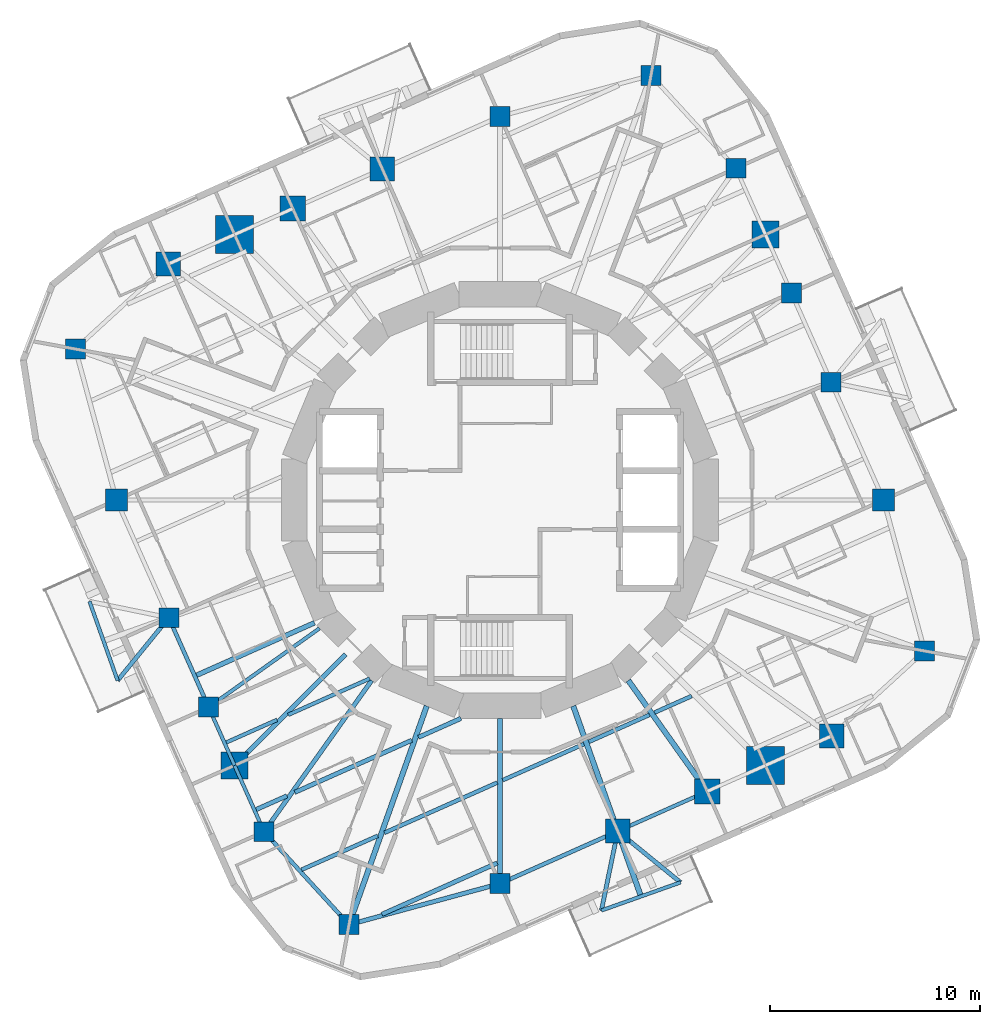
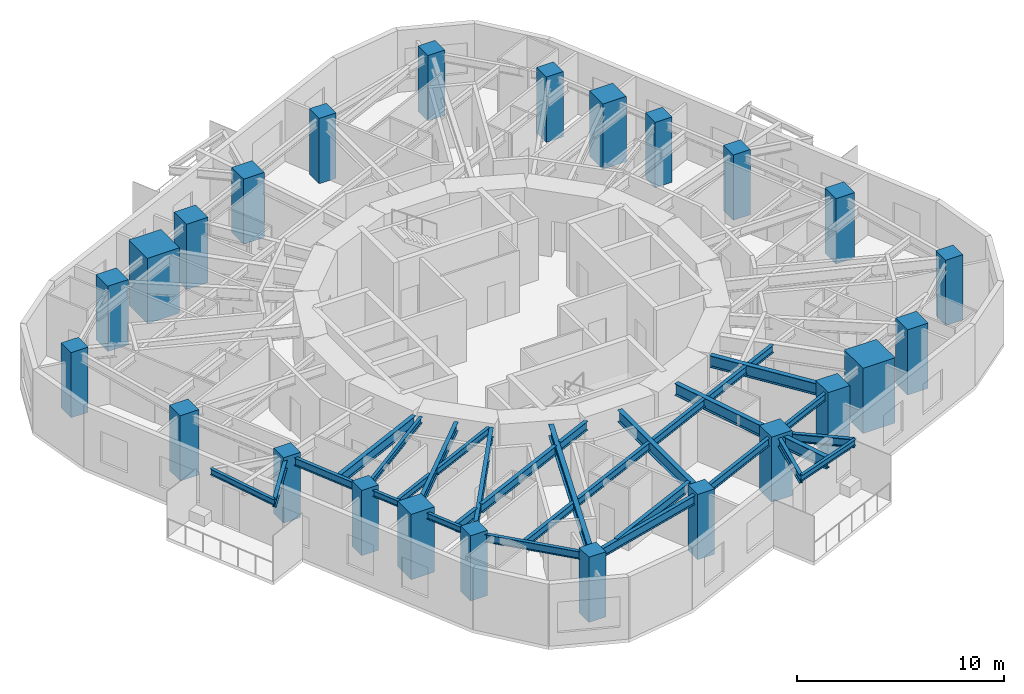
# One storey, part 1 of 12: 31 beams, 24 columns.
"""IFC4 building model written with IfcOpenShell, lengths in metres."""

from ifc_helpers import new_model, si_unit, direction, frame, origin, origin_2d, place, context, subcontext, project, spatial, rectangle, i_section, extrude, material, material_profile, profile_set, type_object, element, save


model = new_model("IFC4")

# Units and contexts
model_context = context("Model", 3, precision=1e-05, world=origin(), true_north=direction((0.0, 1.0)))
body_context = subcontext(model_context, "Body", "Model", "MODEL_VIEW")
ifc_project = project(units=[si_unit("LENGTHUNIT", "METRE"), si_unit("AREAUNIT", "SQUARE_METRE"), si_unit("VOLUMEUNIT", "CUBIC_METRE"), si_unit("PLANEANGLEUNIT", "RADIAN"), si_unit("MASSUNIT", "GRAM", prefix="KILO")], contexts=[model_context])

# Site, building, storey
site_placement = place(None, origin())
site = spatial("IfcSite", under=ifc_project, at=site_placement, CompositionType="ELEMENT")
building_placement = place(site_placement, origin())
building = spatial("IfcBuilding", under=site, at=building_placement, Name="Nakasero Lantern House", CompositionType="ELEMENT")
storey_placement = place(building_placement, frame((0.0, 0.0, 209.39990234375)))
storey = spatial("IfcBuildingStorey", under=building, at=storey_placement, Name="L51", CompositionType="ELEMENT", Elevation=209.39990234375)

# Columns
ifc_material_1 = material(Name="Concrete C45/55", Category="concrete")
ifc_material_profile_1 = material_profile(ifc_material_1, rectangle(XDim=1.300048828125, YDim=1.300048828125, at=origin_2d()), Name="RC 1300x1300")
ifc_profile_set_1 = profile_set([ifc_material_profile_1], Name="Concrete C45/55")
column_type_1 = type_object("IfcColumnType", Name="Mega column RC 1300x1300 C45/55", PredefinedType="COLUMN", material=ifc_profile_set_1)
for number, where, z_axis, x_axis, name in (
    (1, (12.64892578125, 12.64892578125, 0.0), (0.0, 0.0, 1.0), (1.0, 0.0, 0.0), "Column B5-C06 L51"),
    (2, (-12.64892578125, -12.64892578125, 0.0), (0.0, 0.0, 1.0), (1.0, 0.0, 0.0), "Column B5-C18 L51"),
):
    element("IfcColumn", number, at=place(storey_placement, frame(where, z_axis=z_axis, x_axis=x_axis)), inside=storey, type_object=column_type_1, Name=name, PredefinedType="COLUMN", context=body_context, shape_type="SweptSolid", body=[
        extrude(rectangle(XDim=1.300048828125, YDim=1.300048828125, at=origin_2d()), origin(), (0.0, 0.0, 1.0), 3.85009765625),
    ])
ifc_material_2 = material(Name="Concrete C45/55", Category="concrete")
ifc_material_profile_2 = material_profile(ifc_material_2, rectangle(XDim=1.800048828125, YDim=1.800048828125, at=origin_2d()), Name="RC 1800x1800")
ifc_profile_set_2 = profile_set([ifc_material_profile_2], Name="Concrete C45/55")
column_type_2 = type_object("IfcColumnType", Name="Mega column RC 1800x1800 C45/55", PredefinedType="COLUMN", material=ifc_profile_set_2)
for number, where, z_axis, x_axis, name in (
    (3, (-12.64892578125, 12.64892578125, 0.0), (0.0, 0.0, 1.0), (1.0, 0.0, 0.0), "Column B5-C12 L51"),
    (4, (12.64892578125, -12.64892578125, 0.0), (0.0, 0.0, 1.0), (1.0, 0.0, 0.0), "Column B5-C24 L51"),
):
    element("IfcColumn", number, at=place(storey_placement, frame(where, z_axis=z_axis, x_axis=x_axis)), inside=storey, type_object=column_type_2, Name=name, PredefinedType="COLUMN", context=body_context, shape_type="SweptSolid", body=[
        extrude(rectangle(XDim=1.800048828125, YDim=1.800048828125, at=origin_2d()), origin(), (0.0, 0.0, 1.0), 3.85009765625),
    ])
ifc_material_3 = material(Name="Concrete C45/55", Category="concrete")
ifc_material_profile_3 = material_profile(ifc_material_3, rectangle(XDim=1.050048828125, YDim=1.050048828125, at=origin_2d()), Name="RC 1050x1050")
ifc_profile_set_3 = profile_set([ifc_material_profile_3], Name="Concrete C45/55")
column_type_3 = type_object("IfcColumnType", Name="Ring column RC 1050x1050 C45/55", PredefinedType="COLUMN", material=ifc_profile_set_3)
for number, where, z_axis, x_axis, name in (
    (5, (18.280517578125, 0.0, 0.0), (0.0, 0.0, 1.0), (1.0, 0.0, 0.0), "Column B5-C03 L51"),
    (6, (-18.280517578125, 0.0, 0.0), (0.0, 0.0, 1.0), (1.0, 0.0, 0.0), "Column B5-C15 L51"),
):
    element("IfcColumn", number, at=place(storey_placement, frame(where, z_axis=z_axis, x_axis=x_axis)), inside=storey, type_object=column_type_3, Name=name, PredefinedType="COLUMN", context=body_context, shape_type="SweptSolid", body=[
        extrude(rectangle(XDim=1.050048828125, YDim=1.050048828125, at=origin_2d()), origin(), (0.0, 0.0, 1.0), 3.85009765625),
    ])
ifc_material_4 = material(Name="Concrete C45/55", Category="concrete")
ifc_material_profile_4 = material_profile(ifc_material_4, rectangle(XDim=1.14990234375, YDim=1.14990234375, at=origin_2d()), Name="RC 1150x1150")
ifc_profile_set_4 = profile_set([ifc_material_profile_4], Name="Concrete C45/55")
column_type_4 = type_object("IfcColumnType", Name="Ring column RC 1150x1150 C45/55", PredefinedType="COLUMN", material=ifc_profile_set_4)
for number, where, z_axis, x_axis, name in (
    (7, (15.808837890625, -11.241943359375, 0.0), (0.0, 0.0, 1.0), (1.0, 0.0, 0.0), "Column B5-C01 L51"),
    (8, (-5.611328125, 15.781982421875, 0.0), (0.0, 0.0, 1.0), (1.0, 0.0, 0.0), "Column B5-C10 L51"),
    (9, (-15.808837890625, 11.241943359375, 0.0), (0.0, 0.0, 1.0), (1.0, 0.0, 0.0), "Column B5-C13 L51"),
    (10, (5.611328125, -15.781982421875, 0.0), (0.0, 0.0, 1.0), (1.0, 0.0, 0.0), "Column B5-C22 L51"),
):
    element("IfcColumn", number, at=place(storey_placement, frame(where, z_axis=z_axis, x_axis=x_axis)), inside=storey, type_object=column_type_4, Name=name, PredefinedType="COLUMN", context=body_context, shape_type="SweptSolid", body=[
        extrude(rectangle(XDim=1.14990234375, YDim=1.14990234375, at=origin_2d()), origin(), (0.0, 0.0, 1.0), 3.85009765625),
    ])
ifc_material_5 = material(Name="Concrete C45/55", Category="concrete")
ifc_material_profile_5 = material_profile(ifc_material_5, rectangle(XDim=1.199951171875, YDim=1.199951171875, at=origin_2d()), Name="RC 1200x1200")
ifc_profile_set_5 = profile_set([ifc_material_profile_5], Name="Concrete C45/55")
column_type_5 = type_object("IfcColumnType", Name="Ring column RC 1200x1200 C45/55", PredefinedType="COLUMN", material=ifc_profile_set_5)
for number, where, z_axis, x_axis, name in (
    (11, (-9.87353515625, 13.884521484375, 0.0), (0.0, 0.0, 1.0), (1.0, 0.0, 0.0), "Column B5-C11 L51"),
    (12, (9.87353515625, -13.884521484375, 0.0), (0.0, 0.0, 1.0), (1.0, 0.0, 0.0), "Column B5-C23 L51"),
):
    element("IfcColumn", number, at=place(storey_placement, frame(where, z_axis=z_axis, x_axis=x_axis)), inside=storey, type_object=column_type_5, Name=name, PredefinedType="COLUMN", context=body_context, shape_type="SweptSolid", body=[
        extrude(rectangle(XDim=1.199951171875, YDim=1.199951171875, at=origin_2d()), origin(), (0.0, 0.0, 1.0), 3.85009765625),
    ])
ifc_material_6 = material(Name="Concrete C45/55", Category="concrete")
ifc_material_profile_6 = material_profile(ifc_material_6, rectangle(XDim=0.949951171875, YDim=0.949951171875, at=origin_2d()), Name="RC 950x950")
ifc_profile_set_6 = profile_set([ifc_material_profile_6], Name="Concrete C45/55")
column_type_6 = type_object("IfcColumnType", Name="Ring column RC 950x950 C45/55", PredefinedType="COLUMN", material=ifc_profile_set_6)
for number, where, z_axis, x_axis, name in (
    (13, (20.2353515625, -7.19482421875, 0.0), (0.0, 0.0, 1.0), (1.0, 0.0, 0.0), "Column B5-C02 L51"),
    (14, (15.781982421875, 5.611328125, 0.0), (0.0, 0.0, 1.0), (1.0, 0.0, 0.0), "Column B5-C04 L51"),
    (15, (13.884521484375, 9.87353515625, 0.0), (0.0, 0.0, 1.0), (1.0, 0.0, 0.0), "Column B5-C05 L51"),
    (16, (11.241943359375, 15.808837890625, 0.0), (0.0, 0.0, 1.0), (1.0, 0.0, 0.0), "Column B5-C07 L51"),
    (17, (7.19482421875, 20.2353515625, 0.0), (0.0, 0.0, 1.0), (1.0, 0.0, 0.0), "Column B5-C08 L51"),
    (18, (0.0, 18.280517578125, 0.0), (0.0, 0.0, 1.0), (1.0, 0.0, 0.0), "Column B5-C09 L51"),
    (19, (-20.2353515625, 7.19482421875, 0.0), (0.0, 0.0, 1.0), (1.0, 0.0, 0.0), "Column B5-C14 L51"),
    (20, (-15.781982421875, -5.611328125, 0.0), (0.0, 0.0, 1.0), (1.0, 0.0, 0.0), "Column B5-C16 L51"),
    (21, (-13.884521484375, -9.87353515625, 0.0), (0.0, 0.0, 1.0), (1.0, 0.0, 0.0), "Column B5-C17 L51"),
    (22, (-11.241943359375, -15.808837890625, 0.0), (0.0, 0.0, 1.0), (1.0, 0.0, 0.0), "Column B5-C19 L51"),
    (23, (-7.19482421875, -20.2353515625, 0.0), (0.0, 0.0, 1.0), (1.0, 0.0, 0.0), "Column B5-C20 L51"),
    (24, (0.0, -18.280517578125, 0.0), (0.0, 0.0, 1.0), (1.0, 0.0, 0.0), "Column B5-C21 L51"),
):
    element("IfcColumn", number, at=place(storey_placement, frame(where, z_axis=z_axis, x_axis=x_axis)), inside=storey, type_object=column_type_6, Name=name, PredefinedType="COLUMN", context=body_context, shape_type="SweptSolid", body=[
        extrude(rectangle(XDim=0.949951171875, YDim=0.949951171875, at=origin_2d()), origin(), (0.0, 0.0, 1.0), 3.85009765625),
    ])

# Beams
ifc_material_7 = material(Name="Steel S355", Category="steel")
ifc_material_profile_7 = material_profile(ifc_material_7, i_section(OverallWidth=0.199462890625, OverallDepth=0.491943359375, WebThickness=0.01806640625, FlangeThickness=0.031982421875, FilletRadius=0.01025390625, at=origin_2d()), Name="UB 457x191x161")
ifc_profile_set_7 = profile_set([ifc_material_profile_7], Name="Steel S355")
beam_type_1 = type_object("IfcBeamType", Name="Balcony splay beam UB 457x191x161", PredefinedType="BEAM", material=ifc_profile_set_7)
for number, where, z_axis, x_axis, name in (
    (25, (-15.781982421875, -5.611328125, 3.404052734375), (-0.632165712937, -0.774833215206, 0.0), (0.774833215206, -0.632165712937, 0.0), "Balcony splay beam L52 B5-C16A"),
    (26, (5.611328125, -15.781982421875, 3.404052734375), (0.774833215206, -0.632165712937, 0.0), (0.632165712937, 0.774833215206, 0.0), "Balcony splay beam L52 B5-C22A"),
):
    element("IfcBeam", number, at=place(storey_placement, frame(where, z_axis=z_axis, x_axis=x_axis)), inside=storey, type_object=beam_type_1, Name=name, PredefinedType="BEAM", context=body_context, shape_type="SweptSolid", body=[
        extrude(i_section(OverallWidth=0.199462890625, OverallDepth=0.491943359375, WebThickness=0.01806640625, FlangeThickness=0.031982421875, FilletRadius=0.01025390625, at=origin_2d()), origin(), (0.0, 0.0, 1.0), 3.85888671875),
    ])
beam_1_placement = place(storey_placement, frame((5.611328125, -15.781982421875, 3.404052734375), z_axis=(-0.201831438605, -0.979420272605, 0.0), x_axis=(0.979420272605, -0.201831438605, 0.0)))
element("IfcBeam", 27, at=beam_1_placement, inside=storey, type_object=beam_type_1, Name="Balcony splay beam L52 B5-C22B", PredefinedType="BEAM", context=body_context, shape_type="SweptSolid", body=[
    extrude(i_section(OverallWidth=0.199462890625, OverallDepth=0.491943359375, WebThickness=0.01806640625, FlangeThickness=0.031982421875, FilletRadius=0.01025390625, at=origin_2d()), origin(), (0.0, 0.0, 1.0), 3.858642578125),
])
ifc_material_8 = material(Name="Steel S355", Category="steel")
ifc_material_profile_8 = material_profile(ifc_material_8, i_section(OverallWidth=0.17138671875, OverallDepth=0.35498046875, WebThickness=0.00732421875, FlangeThickness=0.011474609375, FilletRadius=0.01025390625, at=origin_2d()), Name="UB 356x171x51")
ifc_profile_set_8 = profile_set([ifc_material_profile_8], Name="Steel S355")
beam_type_2 = type_object("IfcBeamType", Name="Balcony tie beam UB 356x171x51", PredefinedType="BEAM", material=ifc_profile_set_8)
for number, where, z_axis, x_axis, name in (
    (28, (-18.221435546875, -8.601318359375, 3.47265625), (-0.334971134582, 0.94222839004, 0.0), (-0.94222839004, -0.334971134582, 0.0), "Balcony tie beam L52 B5-C16"),
    (29, (8.601318359375, -18.221435546875, 3.47265625), (-0.94222839004, -0.334971134582, 0.0), (0.334971134582, -0.94222839004, 0.0), "Balcony tie beam L52 B5-C22"),
):
    element("IfcBeam", number, at=place(storey_placement, frame(where, z_axis=z_axis, x_axis=x_axis)), inside=storey, type_object=beam_type_2, Name=name, PredefinedType="BEAM", context=body_context, shape_type="SweptSolid", body=[
        extrude(i_section(OverallWidth=0.17138671875, OverallDepth=0.35498046875, WebThickness=0.00732421875, FlangeThickness=0.011474609375, FilletRadius=0.01025390625, at=origin_2d()), origin(), (0.0, 0.0, 1.0), 4.0),
    ])
ifc_material_9 = material(Name="Steel S355", Category="steel")
ifc_material_profile_9 = material_profile(ifc_material_9, i_section(OverallWidth=0.177978515625, OverallDepth=0.406494140625, WebThickness=0.0078125, FlangeThickness=0.0126953125, FilletRadius=0.01025390625, at=origin_2d()), Name="UB 406x178x60")
ifc_profile_set_9 = profile_set([ifc_material_profile_9], Name="Steel S355")
beam_type_3 = type_object("IfcBeamType", Name="Infill beam UB 406x178x60", PredefinedType="JOIST", material=ifc_profile_set_9)
beam_2_placement = place(storey_placement, frame((-13.04248046875, -11.5537109375, 3.44677734375), z_axis=(0.913529602849, 0.406772251658, 0.0), x_axis=(-0.406772251658, 0.913529602849, 0.0)))
element("IfcBeam", 30, at=beam_2_placement, inside=storey, type_object=beam_type_3, Name="Infill beam L52 06.1", PredefinedType="JOIST", context=body_context, shape_type="SweptSolid", body=[
    extrude(i_section(OverallWidth=0.177978515625, OverallDepth=0.406494140625, WebThickness=0.0078125, FlangeThickness=0.0126953125, FilletRadius=0.01025390625, at=origin_2d()), origin(), (0.0, 0.0, 1.0), 2.64453125),
])
beam_3_placement = place(storey_placement, frame((-10.09130859375, -10.23974609375, 3.44677734375), z_axis=(0.91354134882, 0.406745871517, 0.0), x_axis=(-0.406745871517, 0.91354134882, 0.0)))
element("IfcBeam", 31, at=beam_3_placement, inside=storey, type_object=beam_type_3, Name="Infill beam L52 06.2", PredefinedType="JOIST", context=body_context, shape_type="SweptSolid", body=[
    extrude(i_section(OverallWidth=0.177978515625, OverallDepth=0.406494140625, WebThickness=0.0078125, FlangeThickness=0.0126953125, FilletRadius=0.01025390625, at=origin_2d()), origin(), (0.0, 0.0, 1.0), 4.250732421875),
])
ifc_material_10 = material(Name="Steel S355", Category="steel")
ifc_material_profile_10 = material_profile(ifc_material_10, i_section(OverallWidth=0.18994140625, OverallDepth=0.453369140625, WebThickness=0.008544921875, FlangeThickness=0.0126953125, FilletRadius=0.01025390625, at=origin_2d()), Name="UB 457x191x67")
ifc_profile_set_10 = profile_set([ifc_material_profile_10], Name="Steel S355")
beam_type_4 = type_object("IfcBeamType", Name="Infill beam UB 457x191x67", PredefinedType="JOIST", material=ifc_profile_set_10)
beam_4_placement = place(storey_placement, frame((-9.457275390625, -17.619873046875, 3.42333984375), z_axis=(0.91354552237, 0.406736497695, 0.0), x_axis=(-0.406736497695, 0.91354552237, 0.0)))
element("IfcBeam", 32, at=beam_4_placement, inside=storey, type_object=beam_type_4, Name="Infill beam L52 04.1", PredefinedType="JOIST", context=body_context, shape_type="SweptSolid", body=[
    extrude(i_section(OverallWidth=0.18994140625, OverallDepth=0.453369140625, WebThickness=0.008544921875, FlangeThickness=0.0126953125, FilletRadius=0.01025390625, at=origin_2d()), origin(), (0.0, 0.0, 1.0), 3.9765625),
])
beam_5_placement = place(storey_placement, frame((-5.50439453125, -15.860107421875, 3.42333984375), z_axis=(0.913542777248, 0.406742663287, 0.0), x_axis=(-0.406742663287, 0.913542777248, 0.0)))
element("IfcBeam", 33, at=beam_5_placement, inside=storey, type_object=beam_type_4, Name="Infill beam L52 04.2", PredefinedType="JOIST", context=body_context, shape_type="SweptSolid", body=[
    extrude(i_section(OverallWidth=0.18994140625, OverallDepth=0.453369140625, WebThickness=0.008544921875, FlangeThickness=0.0126953125, FilletRadius=0.01025390625, at=origin_2d()), origin(), (0.0, 0.0, 1.0), 5.88525390625),
])
beam_6_placement = place(storey_placement, frame((0.1279296875, -13.352294921875, 3.42333984375), z_axis=(0.913557147021, 0.406710387287, 0.0), x_axis=(-0.406710387287, 0.913557147021, 0.0)))
element("IfcBeam", 34, at=beam_6_placement, inside=storey, type_object=beam_type_4, Name="Infill beam L52 04.3", PredefinedType="JOIST", context=body_context, shape_type="SweptSolid", body=[
    extrude(i_section(OverallWidth=0.18994140625, OverallDepth=0.453369140625, WebThickness=0.008544921875, FlangeThickness=0.0126953125, FilletRadius=0.01025390625, at=origin_2d()), origin(), (0.0, 0.0, 1.0), 4.2373046875),
])
beam_7_placement = place(storey_placement, frame((4.2333984375, -11.5244140625, 3.42333984375), z_axis=(0.913550388535, 0.406725567929, 0.0), x_axis=(-0.406725567929, 0.913550388535, 0.0)))
element("IfcBeam", 35, at=beam_7_placement, inside=storey, type_object=beam_type_4, Name="Infill beam L52 04.4", PredefinedType="JOIST", context=body_context, shape_type="SweptSolid", body=[
    extrude(i_section(OverallWidth=0.18994140625, OverallDepth=0.453369140625, WebThickness=0.008544921875, FlangeThickness=0.0126953125, FilletRadius=0.01025390625, at=origin_2d()), origin(), (0.0, 0.0, 1.0), 3.163330078125),
])
beam_8_placement = place(storey_placement, frame((7.361572265625, -10.131591796875, 3.42333984375), z_axis=(0.913587966127, 0.406641154026, 0.0), x_axis=(-0.406641154026, 0.913587966127, 0.0)))
element("IfcBeam", 36, at=beam_8_placement, inside=storey, type_object=beam_type_4, Name="Infill beam L52 04.5", PredefinedType="JOIST", context=body_context, shape_type="SweptSolid", body=[
    extrude(i_section(OverallWidth=0.18994140625, OverallDepth=0.453369140625, WebThickness=0.008544921875, FlangeThickness=0.0126953125, FilletRadius=0.01025390625, at=origin_2d()), origin(), (0.0, 0.0, 1.0), 1.9375),
])
ifc_material_11 = material(Name="Steel S355", Category="steel")
ifc_material_profile_11 = material_profile(ifc_material_11, i_section(OverallWidth=0.2099609375, OverallDepth=0.53662109375, WebThickness=0.0107421875, FlangeThickness=0.017333984375, FilletRadius=0.0126953125, at=origin_2d()), Name="UB 533x210x101")
ifc_profile_set_11 = profile_set([ifc_material_profile_11], Name="Steel S355")
beam_type_5 = type_object("IfcBeamType", Name="Infill beam UB 533x210x101", PredefinedType="JOIST", material=ifc_profile_set_11)
beam_9_placement = place(storey_placement, frame((-5.626708984375, -19.745849609375, 3.3818359375), z_axis=(0.913528663038, 0.406774362279, 0.0), x_axis=(-0.406774362279, 0.913528663038, 0.0)))
element("IfcBeam", 37, at=beam_9_placement, inside=storey, type_object=beam_type_5, Name="Infill beam L52 03.1", PredefinedType="JOIST", context=body_context, shape_type="SweptSolid", body=[
    extrude(i_section(OverallWidth=0.2099609375, OverallDepth=0.53662109375, WebThickness=0.0107421875, FlangeThickness=0.017333984375, FilletRadius=0.0126953125, at=origin_2d()), origin(), (0.0, 0.0, 1.0), 6.019287109375),
])
ifc_material_12 = material(Name="Steel S355", Category="steel")
ifc_material_profile_12 = material_profile(ifc_material_12, i_section(OverallWidth=0.208740234375, OverallDepth=0.5283203125, WebThickness=0.009521484375, FlangeThickness=0.01318359375, FilletRadius=0.0126953125, at=origin_2d()), Name="UB 533x210x82")
ifc_profile_set_12 = profile_set([ifc_material_profile_12], Name="Steel S355")
beam_type_6 = type_object("IfcBeamType", Name="Infill beam UB 533x210x82", PredefinedType="JOIST", material=ifc_profile_set_12)
beam_10_placement = place(storey_placement, frame((-11.618896484375, -14.751220703125, 3.385986328125), z_axis=(0.913522313414, 0.406788621884, 0.0), x_axis=(-0.406788621884, 0.913522313414, 0.0)))
element("IfcBeam", 38, at=beam_10_placement, inside=storey, type_object=beam_type_6, Name="Infill beam L52 05.1", PredefinedType="JOIST", context=body_context, shape_type="SweptSolid", body=[
    extrude(i_section(OverallWidth=0.208740234375, OverallDepth=0.5283203125, WebThickness=0.009521484375, FlangeThickness=0.01318359375, FilletRadius=0.0126953125, at=origin_2d()), origin(), (0.0, 0.0, 1.0), 1.6025390625),
])
beam_11_placement = place(storey_placement, frame((-9.778076171875, -13.931640625, 3.385986328125), z_axis=(0.913537341067, 0.406754872713, 0.0), x_axis=(-0.406754872713, 0.913537341067, 0.0)))
element("IfcBeam", 39, at=beam_11_placement, inside=storey, type_object=beam_type_6, Name="Infill beam L52 05.2", PredefinedType="JOIST", context=body_context, shape_type="SweptSolid", body=[
    extrude(i_section(OverallWidth=0.208740234375, OverallDepth=0.5283203125, WebThickness=0.009521484375, FlangeThickness=0.01318359375, FilletRadius=0.0126953125, at=origin_2d()), origin(), (0.0, 0.0, 1.0), 6.099365234375),
])
beam_12_placement = place(storey_placement, frame((-3.885986328125, -11.308349609375, 3.385986328125), z_axis=(0.913538457968, 0.406752364238, 0.0), x_axis=(-0.406752364238, 0.913538457968, 0.0)))
element("IfcBeam", 40, at=beam_12_placement, inside=storey, type_object=beam_type_6, Name="Infill beam L52 05.3", PredefinedType="JOIST", context=body_context, shape_type="SweptSolid", body=[
    extrude(i_section(OverallWidth=0.208740234375, OverallDepth=0.5283203125, WebThickness=0.009521484375, FlangeThickness=0.01318359375, FilletRadius=0.0126953125, at=origin_2d()), origin(), (0.0, 0.0, 1.0), 2.213623046875),
])
ifc_material_13 = material(Name="Steel S355", Category="steel")
ifc_material_profile_13 = material_profile(ifc_material_13, i_section(OverallWidth=0.22900390625, OverallDepth=0.6123046875, WebThickness=0.011962890625, FlangeThickness=0.01953125, FilletRadius=0.0126953125, at=origin_2d()), Name="UB 610x229x125")
ifc_profile_set_13 = profile_set([ifc_material_profile_13], Name="Steel S355")
beam_type_7 = type_object("IfcBeamType", Name="Infill beam UB 610x229x125", PredefinedType="JOIST", material=ifc_profile_set_13)
beam_13_placement = place(storey_placement, frame((-14.457763671875, -8.3525390625, 3.343994140625), z_axis=(0.913552627294, 0.406720539393, 0.0), x_axis=(-0.406720539393, 0.913552627294, 0.0)))
element("IfcBeam", 41, at=beam_13_placement, inside=storey, type_object=beam_type_7, Name="Infill beam L52 07.1", PredefinedType="JOIST", context=body_context, shape_type="SweptSolid", body=[
    extrude(i_section(OverallWidth=0.22900390625, OverallDepth=0.6123046875, WebThickness=0.011962890625, FlangeThickness=0.01953125, FilletRadius=0.0126953125, at=origin_2d()), origin(), (0.0, 0.0, 1.0), 6.14794921875),
])
ifc_material_14 = material(Name="Steel S355", Category="steel")
ifc_material_profile_14 = material_profile(ifc_material_14, i_section(OverallWidth=0.17138671875, OverallDepth=0.35498046875, WebThickness=0.00732421875, FlangeThickness=0.011474609375, FilletRadius=0.01025390625, at=origin_2d()), Name="UB 356x171x51")
ifc_profile_set_14 = profile_set([ifc_material_profile_14], Name="Steel S355")
beam_type_8 = type_object("IfcBeamType", Name="Primary beam UB 356x171x51, span 6 to 9 m", PredefinedType="BEAM", material=ifc_profile_set_14)
beam_14_placement = place(storey_placement, frame((-13.884521484375, -9.87353515625, 3.47265625), z_axis=(0.8149430702, 0.57954101868, 0.0), x_axis=(-0.57954101868, 0.8149430702, 0.0)))
element("IfcBeam", 42, at=beam_14_placement, inside=storey, type_object=beam_type_8, Name="Primary beam L52 B5-C17", PredefinedType="BEAM", context=body_context, shape_type="SweptSolid", body=[
    extrude(i_section(OverallWidth=0.17138671875, OverallDepth=0.35498046875, WebThickness=0.00732421875, FlangeThickness=0.011474609375, FilletRadius=0.01025390625, at=origin_2d()), origin(), (0.0, 0.0, 1.0), 6.48193359375),
])
ifc_material_15 = material(Name="Steel S355", Category="steel")
ifc_material_profile_15 = material_profile(ifc_material_15, i_section(OverallWidth=0.2099609375, OverallDepth=0.53662109375, WebThickness=0.0107421875, FlangeThickness=0.017333984375, FilletRadius=0.0126953125, at=origin_2d()), Name="UB 533x210x101")
ifc_profile_set_15 = profile_set([ifc_material_profile_15], Name="Steel S355")
beam_type_9 = type_object("IfcBeamType", Name="Primary beam UB 533x210x101, span 6 to 9 m", PredefinedType="BEAM", material=ifc_profile_set_15)
beam_15_placement = place(storey_placement, frame((-12.64892578125, -12.64892578125, 3.3818359375), z_axis=(0.707106781187, 0.707106781187, 0.0), x_axis=(-0.707106781187, 0.707106781187, 0.0)))
element("IfcBeam", 43, at=beam_15_placement, inside=storey, type_object=beam_type_9, Name="Primary beam L52 B5-C18", PredefinedType="BEAM", context=body_context, shape_type="SweptSolid", body=[
    extrude(i_section(OverallWidth=0.2099609375, OverallDepth=0.53662109375, WebThickness=0.0107421875, FlangeThickness=0.017333984375, FilletRadius=0.0126953125, at=origin_2d()), origin(), (0.0, 0.0, 1.0), 7.48046875),
])
beam_16_placement = place(storey_placement, frame((-11.241943359375, -15.808837890625, 3.3818359375), z_axis=(0.579536824926, 0.814946052543, 0.0), x_axis=(-0.814946052543, 0.579536824926, 0.0)))
element("IfcBeam", 44, at=beam_16_placement, inside=storey, type_object=beam_type_9, Name="Primary beam L52 B5-C19", PredefinedType="BEAM", context=body_context, shape_type="SweptSolid", body=[
    extrude(i_section(OverallWidth=0.2099609375, OverallDepth=0.53662109375, WebThickness=0.0107421875, FlangeThickness=0.017333984375, FilletRadius=0.0126953125, at=origin_2d()), origin(), (0.0, 0.0, 1.0), 8.84326171875),
])
ifc_material_16 = material(Name="Steel S355", Category="steel")
ifc_material_profile_16 = material_profile(ifc_material_16, i_section(OverallWidth=0.253662109375, OverallDepth=0.68359375, WebThickness=0.012451171875, FlangeThickness=0.01904296875, FilletRadius=0.01513671875, at=origin_2d()), Name="UB 686x254x140")
ifc_profile_set_16 = profile_set([ifc_material_profile_16], Name="Steel S355")
beam_type_10 = type_object("IfcBeamType", Name="Primary beam UB 686x254x140, span 9 to 12 m", PredefinedType="BEAM", material=ifc_profile_set_16)
beam_17_placement = place(storey_placement, frame((-7.19482421875, -20.2353515625, 3.308349609375), z_axis=(0.335020995468, 0.942210662535, 0.0), x_axis=(-0.942210662535, 0.335020995468, 0.0)))
element("IfcBeam", 45, at=beam_17_placement, inside=storey, type_object=beam_type_10, Name="Primary beam L52 B5-C20", PredefinedType="BEAM", context=body_context, shape_type="SweptSolid", body=[
    extrude(i_section(OverallWidth=0.253662109375, OverallDepth=0.68359375, WebThickness=0.012451171875, FlangeThickness=0.01904296875, FilletRadius=0.01513671875, at=origin_2d()), origin(), (0.0, 0.0, 1.0), 11.054931640625),
])
ifc_material_17 = material(Name="Steel S355", Category="steel")
ifc_material_profile_17 = material_profile(ifc_material_17, i_section(OverallWidth=0.255859375, OverallDepth=0.69287109375, WebThickness=0.014404296875, FlangeThickness=0.023681640625, FilletRadius=0.01513671875, at=origin_2d()), Name="UB 686x254x170")
ifc_profile_set_17 = profile_set([ifc_material_profile_17], Name="Steel S355")
beam_type_11 = type_object("IfcBeamType", Name="Primary beam UB 686x254x170, span 6 to 9 m", PredefinedType="BEAM", material=ifc_profile_set_17)
beam_18_placement = place(storey_placement, frame((0.0, -18.280517578125, 3.3037109375), z_axis=(0.0, 1.0, 0.0), x_axis=(-1.0, 0.0, 0.0)))
element("IfcBeam", 46, at=beam_18_placement, inside=storey, type_object=beam_type_11, Name="Primary beam L52 B5-C21", PredefinedType="BEAM", context=body_context, shape_type="SweptSolid", body=[
    extrude(i_section(OverallWidth=0.255859375, OverallDepth=0.69287109375, WebThickness=0.014404296875, FlangeThickness=0.023681640625, FilletRadius=0.01513671875, at=origin_2d()), origin(), (0.0, 0.0, 1.0), 7.87255859375),
])
beam_19_placement = place(storey_placement, frame((6.717041015625, -18.891357421875, 3.3037109375), z_axis=(-0.335030177005, 0.942207397814, 0.0), x_axis=(-0.942207397814, -0.335030177005, 0.0)))
element("IfcBeam", 47, at=beam_19_placement, inside=storey, type_object=beam_type_11, Name="Primary beam L52 B5-C22", PredefinedType="BEAM", context=body_context, shape_type="SweptSolid", body=[
    extrude(i_section(OverallWidth=0.255859375, OverallDepth=0.69287109375, WebThickness=0.014404296875, FlangeThickness=0.023681640625, FilletRadius=0.01513671875, at=origin_2d()), origin(), (0.0, 0.0, 1.0), 9.62841796875),
])
beam_20_placement = place(storey_placement, frame((9.87353515625, -13.884521484375, 3.3037109375), z_axis=(-0.57954101868, 0.8149430702, 0.0), x_axis=(-0.8149430702, -0.57954101868, 0.0)))
element("IfcBeam", 48, at=beam_20_placement, inside=storey, type_object=beam_type_11, Name="Primary beam L52 B5-C23", PredefinedType="BEAM", context=body_context, shape_type="SweptSolid", body=[
    extrude(i_section(OverallWidth=0.255859375, OverallDepth=0.69287109375, WebThickness=0.014404296875, FlangeThickness=0.023681640625, FilletRadius=0.01513671875, at=origin_2d()), origin(), (0.0, 0.0, 1.0), 6.48193359375),
])
ifc_material_18 = material(Name="Steel S355", Category="steel")
ifc_material_profile_18 = material_profile(ifc_material_18, i_section(OverallWidth=0.17138671875, OverallDepth=0.35498046875, WebThickness=0.00732421875, FlangeThickness=0.011474609375, FilletRadius=0.01025390625, at=origin_2d()), Name="UB 356x171x51")
ifc_profile_set_18 = profile_set([ifc_material_profile_18], Name="Steel S355")
beam_type_12 = type_object("IfcBeamType", Name="Ring beam UB 356x171x51", PredefinedType="BEAM", material=ifc_profile_set_18)
beam_21_placement = place(storey_placement, frame((-13.884521484375, -9.87353515625, 3.47265625), z_axis=(0.40671251915, -0.913556197925, 0.0), x_axis=(0.913556197925, 0.40671251915, 0.0)))
element("IfcBeam", 49, at=beam_21_placement, inside=storey, type_object=beam_type_12, Name="Ring beam L52 B5-C17", PredefinedType="BEAM", context=body_context, shape_type="SweptSolid", body=[
    extrude(i_section(OverallWidth=0.17138671875, OverallDepth=0.35498046875, WebThickness=0.00732421875, FlangeThickness=0.011474609375, FilletRadius=0.01025390625, at=origin_2d()), origin(), (0.0, 0.0, 1.0), 3.0380859375),
])
beam_22_placement = place(storey_placement, frame((-12.64892578125, -12.64892578125, 3.47265625), z_axis=(0.406760506795, -0.913534832457, 0.0), x_axis=(0.913534832457, 0.406760506795, 0.0)))
element("IfcBeam", 50, at=beam_22_placement, inside=storey, type_object=beam_type_12, Name="Ring beam L52 B5-C18", PredefinedType="BEAM", context=body_context, shape_type="SweptSolid", body=[
    extrude(i_section(OverallWidth=0.17138671875, OverallDepth=0.35498046875, WebThickness=0.00732421875, FlangeThickness=0.011474609375, FilletRadius=0.01025390625, at=origin_2d()), origin(), (0.0, 0.0, 1.0), 3.458984375),
])
ifc_material_19 = material(Name="Steel S355", Category="steel")
ifc_material_profile_19 = material_profile(ifc_material_19, i_section(OverallWidth=0.177978515625, OverallDepth=0.406494140625, WebThickness=0.0078125, FlangeThickness=0.0126953125, FilletRadius=0.01025390625, at=origin_2d()), Name="UB 406x178x60")
ifc_profile_set_19 = profile_set([ifc_material_profile_19], Name="Steel S355")
beam_type_13 = type_object("IfcBeamType", Name="Ring beam UB 406x178x60", PredefinedType="BEAM", material=ifc_profile_set_19)
beam_23_placement = place(storey_placement, frame((5.611328125, -15.781982421875, 3.44677734375), z_axis=(0.913561058639, 0.406701600856, 0.0), x_axis=(-0.406701600856, 0.913561058639, 0.0)))
element("IfcBeam", 51, at=beam_23_placement, inside=storey, type_object=beam_type_13, Name="Ring beam L52 B5-C22", PredefinedType="BEAM", context=body_context, shape_type="SweptSolid", body=[
    extrude(i_section(OverallWidth=0.177978515625, OverallDepth=0.406494140625, WebThickness=0.0078125, FlangeThickness=0.0126953125, FilletRadius=0.01025390625, at=origin_2d()), origin(), (0.0, 0.0, 1.0), 4.66552734375),
])
ifc_material_20 = material(Name="Steel S355", Category="steel")
ifc_material_profile_20 = material_profile(ifc_material_20, i_section(OverallWidth=0.18994140625, OverallDepth=0.453369140625, WebThickness=0.008544921875, FlangeThickness=0.0126953125, FilletRadius=0.01025390625, at=origin_2d()), Name="UB 457x191x67")
ifc_profile_set_20 = profile_set([ifc_material_profile_20], Name="Steel S355")
beam_type_14 = type_object("IfcBeamType", Name="Ring beam UB 457x191x67", PredefinedType="BEAM", material=ifc_profile_set_20)
beam_24_placement = place(storey_placement, frame((-15.781982421875, -5.611328125, 3.42333984375), z_axis=(0.406701600856, -0.913561058639, 0.0), x_axis=(0.913561058639, 0.406701600856, 0.0)))
element("IfcBeam", 52, at=beam_24_placement, inside=storey, type_object=beam_type_14, Name="Ring beam L52 B5-C16", PredefinedType="BEAM", context=body_context, shape_type="SweptSolid", body=[
    extrude(i_section(OverallWidth=0.18994140625, OverallDepth=0.453369140625, WebThickness=0.008544921875, FlangeThickness=0.0126953125, FilletRadius=0.01025390625, at=origin_2d()), origin(), (0.0, 0.0, 1.0), 4.66552734375),
])
beam_25_placement = place(storey_placement, frame((-11.241943359375, -15.808837890625, 3.42333984375), z_axis=(0.674771099966, -0.73802707447, 0.0), x_axis=(0.73802707447, 0.674771099966, 0.0)))
element("IfcBeam", 53, at=beam_25_placement, inside=storey, type_object=beam_type_14, Name="Ring beam L52 B5-C19", PredefinedType="BEAM", context=body_context, shape_type="SweptSolid", body=[
    extrude(i_section(OverallWidth=0.18994140625, OverallDepth=0.453369140625, WebThickness=0.008544921875, FlangeThickness=0.0126953125, FilletRadius=0.01025390625, at=origin_2d()), origin(), (0.0, 0.0, 1.0), 5.997802734375),
])
ifc_material_21 = material(Name="Steel S355", Category="steel")
ifc_material_profile_21 = material_profile(ifc_material_21, i_section(OverallWidth=0.19140625, OverallDepth=0.4599609375, WebThickness=0.010009765625, FlangeThickness=0.01611328125, FilletRadius=0.01025390625, at=origin_2d()), Name="UB 457x191x82")
ifc_profile_set_21 = profile_set([ifc_material_profile_21], Name="Steel S355")
beam_type_15 = type_object("IfcBeamType", Name="Ring beam UB 457x191x82", PredefinedType="BEAM", material=ifc_profile_set_21)
beam_26_placement = place(storey_placement, frame((0.0, -18.280517578125, 3.420166015625), z_axis=(0.913532698569, 0.406765299215, 0.0), x_axis=(-0.406765299215, 0.913532698569, 0.0)))
element("IfcBeam", 54, at=beam_26_placement, inside=storey, type_object=beam_type_15, Name="Ring beam L52 B5-C21", PredefinedType="BEAM", context=body_context, shape_type="SweptSolid", body=[
    extrude(i_section(OverallWidth=0.19140625, OverallDepth=0.4599609375, WebThickness=0.010009765625, FlangeThickness=0.01611328125, FilletRadius=0.01025390625, at=origin_2d()), origin(), (0.0, 0.0, 1.0), 6.142333984375),
])
ifc_material_22 = material(Name="Steel S355", Category="steel")
ifc_material_profile_22 = material_profile(ifc_material_22, i_section(OverallWidth=0.208740234375, OverallDepth=0.5283203125, WebThickness=0.009521484375, FlangeThickness=0.01318359375, FilletRadius=0.0126953125, at=origin_2d()), Name="UB 533x210x82")
ifc_profile_set_22 = profile_set([ifc_material_profile_22], Name="Steel S355")
beam_type_16 = type_object("IfcBeamType", Name="Ring beam UB 533x210x82", PredefinedType="BEAM", material=ifc_profile_set_22)
beam_27_placement = place(storey_placement, frame((-7.19482421875, -20.2353515625, 3.385986328125), z_axis=(0.965015017941, 0.26219461312, 0.0), x_axis=(-0.26219461312, 0.965015017941, 0.0)))
element("IfcBeam", 55, at=beam_27_placement, inside=storey, type_object=beam_type_16, Name="Ring beam L52 B5-C20", PredefinedType="BEAM", context=body_context, shape_type="SweptSolid", body=[
    extrude(i_section(OverallWidth=0.208740234375, OverallDepth=0.5283203125, WebThickness=0.009521484375, FlangeThickness=0.01318359375, FilletRadius=0.0126953125, at=origin_2d()), origin(), (0.0, 0.0, 1.0), 7.45556640625),
])

save(model, "model.ifc")
